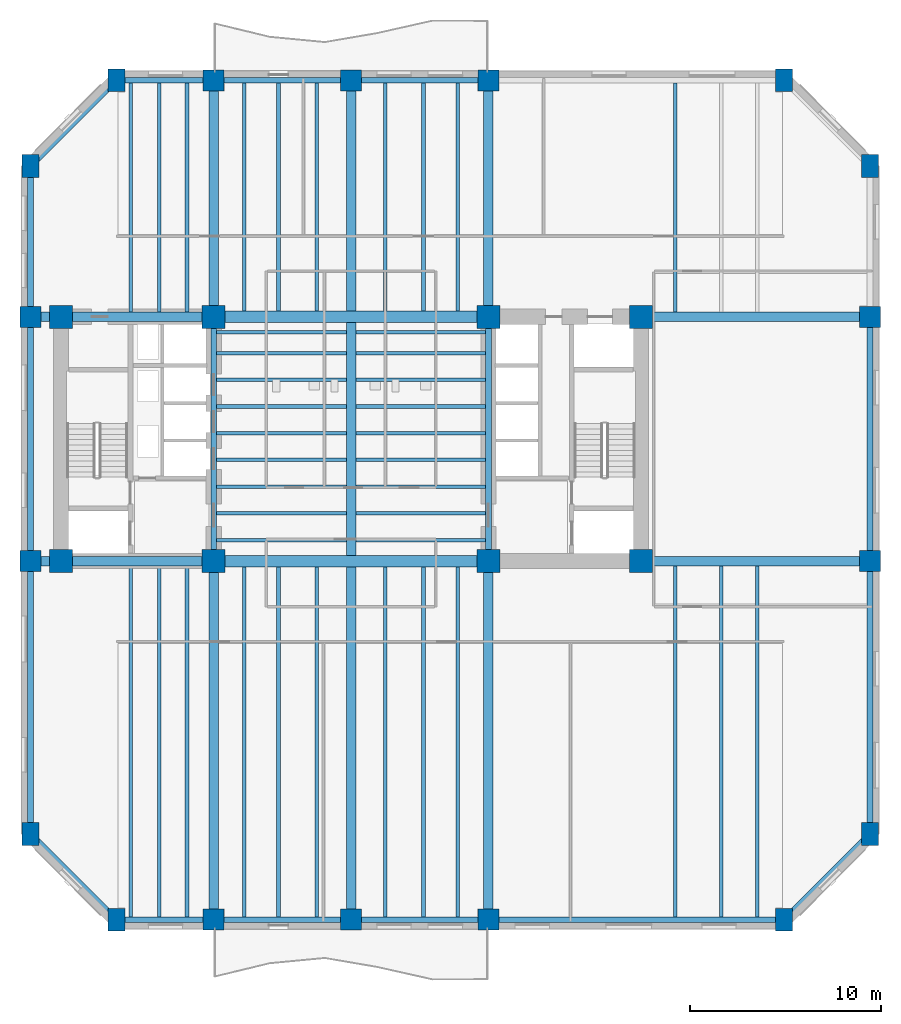
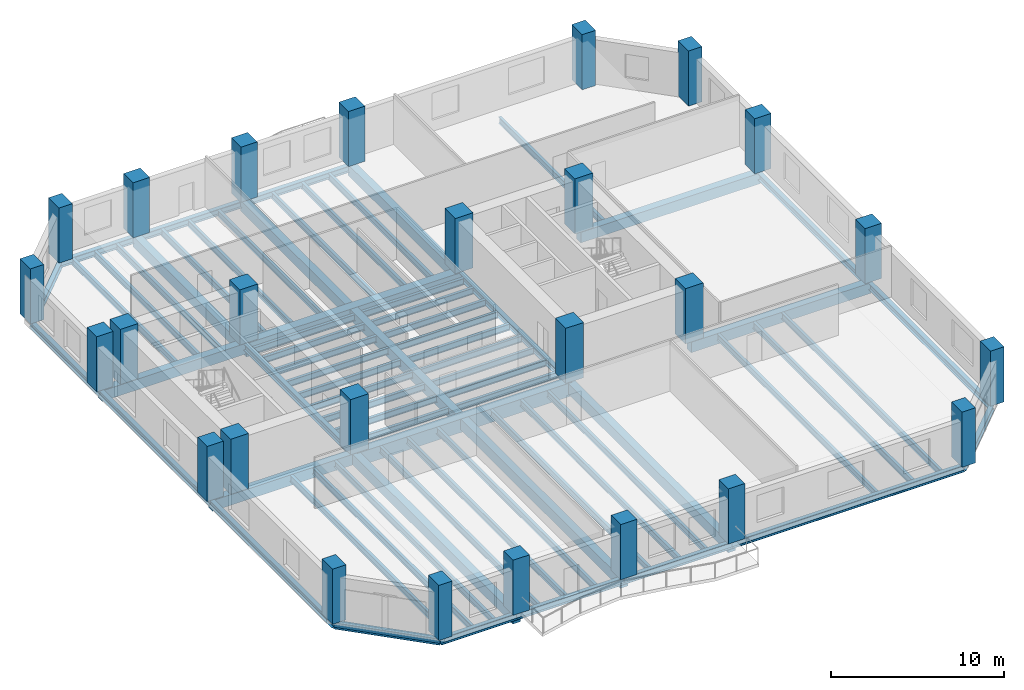
# One storey, part 1 of 9: 70 beams, 26 columns.
"""IFC4 building model written with IfcOpenShell, lengths in metres."""

import ifcopenshell
import ifcopenshell.guid

model = None  # the IFC model being written
_history = None  # IfcOwnerHistory: only IFC2X3 demands one
_inside = {}  # id of a spatial element -> (the spatial element, [elements in it])
_under = {}  # id of a project, library or spatial element -> (it, [spatial elements below it])
_declared = {}  # id of a project -> (the project, [libraries it declares])
_typed = {}  # id of a type object -> (the type object, [elements of that type])
_made_of = {}  # id of a material, layer set ... -> (it, [elements and type objects made of it])


def new_model(schema):
    """Start an empty IFC model of exactly this schema.

    Asked for "IFC4X3", IfcOpenShell would pick the latest addendum, in which some entities
    have other attributes; the version numbers below select the first issue.
    IFC2X3 requires an IfcOwnerHistory on every rooted entity: one is made here for all.
    """
    global model, _history
    if schema == "IFC4X3":
        model = ifcopenshell.file(schema_version=(4, 3, 0, 0))
    else:
        model = ifcopenshell.file(schema=schema)
    _inside.clear()
    _under.clear()
    _declared.clear()
    _typed.clear()
    _made_of.clear()
    _history = None
    if model.schema == "IFC2X3":
        org = make("IfcOrganization", Name="unknown")
        user = make(
            "IfcPersonAndOrganization",
            ThePerson=make("IfcPerson", FamilyName="unknown"),
            TheOrganization=org,
        )
        app = make(
            "IfcApplication",
            ApplicationDeveloper=org,
            Version="unknown",
            ApplicationFullName="unknown",
            ApplicationIdentifier="unknown",
        )
        _history = make(
            "IfcOwnerHistory",
            OwningUser=user,
            OwningApplication=app,
            ChangeAction="ADDED",
            CreationDate=0,
        )
    return model


def make(cls, **values):
    """One entity of the class cls with the attributes given. An attribute that is None is left unset."""
    return model.create_entity(
        cls, **{name: value for name, value in values.items() if value is not None}
    )


def rooted(cls, **values):
    """An entity with a GlobalId (a new one), such as an element, a storey or a relation."""
    return make(cls, GlobalId=ifcopenshell.guid.new(), OwnerHistory=_history, **values)


def si_unit(unit_type, name, prefix=None):
    """IfcSIUnit, for example si_unit("LENGTHUNIT", "METRE", prefix="MILLI")."""
    return make("IfcSIUnit", UnitType=unit_type, Prefix=prefix, Name=name)


def assignment(units):
    """IfcUnitAssignment: the units of a project."""
    return None if units is None else make("IfcUnitAssignment", Units=units)


def point(xyz):
    """IfcCartesianPoint."""
    return None if xyz is None else make("IfcCartesianPoint", Coordinates=xyz)


def direction(xyz):
    """IfcDirection."""
    return None if xyz is None else make("IfcDirection", DirectionRatios=xyz)


def frame(location, z_axis=None, x_axis=None):
    """IfcAxis2Placement3D, a coordinate frame: its origin and axes. An axis left out is left unset."""
    return make(
        "IfcAxis2Placement3D",
        Location=point(location),
        Axis=direction(z_axis),
        RefDirection=direction(x_axis),
    )


def frame_2d(location, x_axis=None):
    """IfcAxis2Placement2D, a coordinate frame in the plane: its origin and x axis."""
    return make(
        "IfcAxis2Placement2D", Location=point(location), RefDirection=direction(x_axis)
    )


def origin():
    """The frame at (0, 0, 0) with its axes left unset."""
    return frame((0.0, 0.0, 0.0))


def origin_2d():
    """The frame at (0, 0) in the plane with its x axis left unset."""
    return frame_2d((0.0, 0.0))


def place(relative_to, where):
    """IfcLocalPlacement: puts the frame where relative to a parent placement (None: the world)."""
    return make(
        "IfcLocalPlacement", PlacementRelTo=relative_to, RelativePlacement=where
    )


def context(
    kind, dimensions, precision=None, world=None, true_north=None, identifier=None
):
    """IfcGeometricRepresentationContext, for example the 3D "Model" context."""
    return make(
        "IfcGeometricRepresentationContext",
        ContextIdentifier=identifier,
        ContextType=kind,
        CoordinateSpaceDimension=dimensions,
        Precision=precision,
        WorldCoordinateSystem=world,
        TrueNorth=true_north,
    )


def subcontext(parent, identifier, kind, view, scale=None):
    """IfcGeometricRepresentationSubContext, for example "Body" below "Model"."""
    return make(
        "IfcGeometricRepresentationSubContext",
        ContextIdentifier=identifier,
        ContextType=kind,
        ParentContext=parent,
        TargetScale=scale,
        TargetView=view,
    )


def project(units=None, contexts=None):
    """IfcProject with its units and contexts."""
    return rooted(
        "IfcProject",
        Name="project",
        RepresentationContexts=contexts,
        UnitsInContext=assignment(units),
    )


def spatial(cls, under=None, at=None, **own):
    """A site, building, storey or space (cls), placed at a placement, below another one or the project."""
    s = rooted(cls, ObjectPlacement=at, **own)
    if under is not None:
        _under.setdefault(under.id(), (under, []))[1].append(s)
    return s


def profile(cls, at=None, kind="AREA", **sizes):
    """A parametric profile (cls). Its sizes go by their IFC names, for example OverallWidth=200.0."""
    return make(cls, ProfileType=kind, Position=at, **sizes)


def rectangle(**sizes):
    """IfcRectangleProfileDef."""
    return profile("IfcRectangleProfileDef", **sizes)


def i_section(**sizes):
    """IfcIShapeProfileDef."""
    return profile("IfcIShapeProfileDef", **sizes)


def extrude(swept, where, along, depth):
    """IfcExtrudedAreaSolid: the profile swept, set in the frame where, extruded along a direction by depth."""
    return make(
        "IfcExtrudedAreaSolid",
        SweptArea=swept,
        Position=where,
        ExtrudedDirection=direction(along),
        Depth=depth,
    )


def shape(context_of_items, identifier, shape_type, items):
    """IfcShapeRepresentation: the items that make up one representation, for example the "Body"."""
    return make(
        "IfcShapeRepresentation",
        ContextOfItems=context_of_items,
        RepresentationIdentifier=identifier,
        RepresentationType=shape_type,
        Items=items,
    )


def material(Name=None, Category=None):
    """IfcMaterial."""
    return make("IfcMaterial", Name=Name, Category=Category)


def material_profile(
    of_material, cross_section, Name=None, Category=None, Priority=None
):
    """IfcMaterialProfile: a cross section and its material."""
    return make(
        "IfcMaterialProfile",
        Name=Name,
        Material=of_material,
        Profile=cross_section,
        Priority=Priority,
        Category=Category,
    )


def profile_set(profiles, Name=None, composite=None):
    """IfcMaterialProfileSet."""
    return make(
        "IfcMaterialProfileSet",
        Name=Name,
        MaterialProfiles=profiles,
        CompositeProfile=composite,
    )


def made_of(thing, what):
    """Note that an element or type object is made of a material, layer set ...; save() writes the relation."""
    if what is not None:
        _made_of.setdefault(what.id(), (what, []))[1].append(thing)
    return thing


def type_object(cls, material=None, **own):
    """A type object (cls), such as IfcWallType, which elements share."""
    return made_of(rooted(cls, **own), material)


def element(
    cls,
    number,
    at=None,
    inside=None,
    cuts=None,
    type_object=None,
    material=None,
    context=None,
    identifier="Body",
    shape_type=None,
    held_by="IfcProductDefinitionShape",
    body=None,
    shapes=None,
    **own,
):
    """One element of the class cls, such as IfcWall. Its Tag is "e" and its number.

    at: its placement. inside: the storey or other place that contains it. cuts: it is an
    opening in that element (IfcRelVoidsElement). A single representation is given by context,
    identifier, shape_type and body (its items); several are given by shapes. held_by: the class
    of the entity that holds the representations. save() writes the other relations.
    """
    e = rooted(cls, Tag="e%d" % number, ObjectPlacement=at, **own)
    if body is not None:
        shapes = [shape(context, identifier, shape_type, body)]
    if shapes is not None:
        e.Representation = make(held_by, Representations=shapes)
    if inside is not None:
        _inside.setdefault(inside.id(), (inside, []))[1].append(e)
    if cuts is not None:
        rooted(
            "IfcRelVoidsElement", RelatingBuildingElement=cuts, RelatedOpeningElement=e
        )
    if type_object is not None:
        _typed.setdefault(type_object.id(), (type_object, []))[1].append(e)
    return made_of(e, material)


def aggregate(whole, parts):
    """IfcRelAggregates: a whole, such as a stair, and the parts it consists of."""
    return rooted("IfcRelAggregates", RelatingObject=whole, RelatedObjects=parts)


def save(model, path):
    """Write the relations noted so far, then the file.

    IfcRelAggregates (storeys below a building ...), IfcRelContainedInSpatialStructure (elements
    in a storey), IfcRelDefinesByType, IfcRelAssociatesMaterial and IfcRelDeclares: one each for
    every whole, place, type object, material and project.
    """
    for whole, parts in _under.values():
        aggregate(whole, parts)
    for where, things in _inside.values():
        rooted(
            "IfcRelContainedInSpatialStructure",
            RelatedElements=things,
            RelatingStructure=where,
        )
    for kind, things in _typed.values():
        rooted("IfcRelDefinesByType", RelatedObjects=things, RelatingType=kind)
    for what, things in _made_of.values():
        rooted("IfcRelAssociatesMaterial", RelatedObjects=things, RelatingMaterial=what)
    for by, libraries in _declared.values():
        rooted("IfcRelDeclares", RelatingContext=by, RelatedDefinitions=libraries)
    model.write(path)


model = new_model("IFC4")

# Units and contexts
model_context = context("Model", 3, precision=1e-05, world=origin(), true_north=direction((0.0, 1.0)))
body_context = subcontext(model_context, "Body", "Model", "MODEL_VIEW")
ifc_project = project(units=[si_unit("LENGTHUNIT", "METRE"), si_unit("AREAUNIT", "SQUARE_METRE"), si_unit("VOLUMEUNIT", "CUBIC_METRE"), si_unit("PLANEANGLEUNIT", "RADIAN"), si_unit("MASSUNIT", "GRAM", prefix="KILO")], contexts=[model_context])

# Site, building, storey
site_placement = place(None, origin())
site = spatial("IfcSite", under=ifc_project, at=site_placement, CompositionType="ELEMENT")
building_placement = place(site_placement, origin())
building = spatial("IfcBuilding", under=site, at=building_placement, Name="Kranthara Brick Stack", CompositionType="ELEMENT")
storey_placement = place(building_placement, frame((0.0, 0.0, 55.5)))
storey = spatial("IfcBuildingStorey", under=building, at=storey_placement, Name="L13", CompositionType="ELEMENT", Elevation=55.5)

# Columns
ifc_material_1 = material(Name="Concrete C70/85", Category="concrete")
ifc_material_profile_1 = material_profile(ifc_material_1, rectangle(XDim=0.89990234375, YDim=1.199951171875, at=origin_2d()), Name="RC 900x1200")
ifc_profile_set_1 = profile_set([ifc_material_profile_1], Name="Concrete C70/85")
column_type_1 = type_object("IfcColumnType", Name="COL-CHAM-900x1200", PredefinedType="COLUMN", material=ifc_profile_set_1)
for number, where, z_axis, x_axis, name in (
    (1, (15.699951171875, 2.0, 0.0), (0.0, 0.0, 1.0), (1.0, 0.0, 0.0), "L13 Column 09"),
    (2, (15.699951171875, 46.0, 0.0), (0.0, 0.0, 1.0), (1.0, 0.0, 0.0), "L13 Column 10"),
    (3, (50.699951171875, 2.0, 0.0), (0.0, 0.0, 1.0), (1.0, 0.0, 0.0), "L13 Column 17"),
    (4, (50.699951171875, 46.0, 0.0), (0.0, 0.0, 1.0), (1.0, 0.0, 0.0), "L13 Column 18"),
    (5, (11.199951171875, 6.5, 0.0), (0.0, 0.0, 1.0), (1.0, 0.0, 0.0), "L13 Column 19"),
    (6, (55.199951171875, 6.5, 0.0), (0.0, 0.0, 1.0), (1.0, 0.0, 0.0), "L13 Column 20"),
    (7, (11.199951171875, 41.5, 0.0), (0.0, 0.0, 1.0), (1.0, 0.0, 0.0), "L13 Column 25"),
    (8, (55.199951171875, 41.5, 0.0), (0.0, 0.0, 1.0), (1.0, 0.0, 0.0), "L13 Column 26"),
):
    element("IfcColumn", number, at=place(storey_placement, frame(where, z_axis=z_axis, x_axis=x_axis)), inside=storey, type_object=column_type_1, Name=name, PredefinedType="COLUMN", context=body_context, shape_type="SweptSolid", body=[
        extrude(rectangle(XDim=0.89990234375, YDim=1.199951171875, at=origin_2d()), origin(), (0.0, 0.0, 1.0), 3.89990234375),
    ])
ifc_material_2 = material(Name="Concrete C70/85", Category="concrete")
ifc_material_profile_2 = material_profile(ifc_material_2, rectangle(XDim=1.199951171875, YDim=1.199951171875, at=origin_2d()), Name="RC 1200x1200")
ifc_profile_set_2 = profile_set([ifc_material_profile_2], Name="Concrete C70/85")
column_type_2 = type_object("IfcColumnType", Name="COL-CORE-1200", PredefinedType="COLUMN", material=ifc_profile_set_2)
for number, where, z_axis, x_axis, name in (
    (9, (12.800048828125, 20.800048828125, 0.0), (0.0, 0.0, 1.0), (1.0, 0.0, 0.0), "L13 Column 01"),
    (10, (20.800048828125, 20.800048828125, 0.0), (0.0, 0.0, 1.0), (1.0, 0.0, 0.0), "L13 Column 02"),
    (11, (12.800048828125, 33.60009765625, 0.0), (0.0, 0.0, 1.0), (1.0, 0.0, 0.0), "L13 Column 03"),
    (12, (20.800048828125, 33.60009765625, 0.0), (0.0, 0.0, 1.0), (1.0, 0.0, 0.0), "L13 Column 04"),
    (13, (35.199951171875, 20.800048828125, 0.0), (0.0, 0.0, 1.0), (1.0, 0.0, 0.0), "L13 Column 05"),
    (14, (43.199951171875, 20.800048828125, 0.0), (0.0, 0.0, 1.0), (1.0, 0.0, 0.0), "L13 Column 06"),
    (15, (35.199951171875, 33.60009765625, 0.0), (0.0, 0.0, 1.0), (1.0, 0.0, 0.0), "L13 Column 07"),
    (16, (43.199951171875, 33.60009765625, 0.0), (0.0, 0.0, 1.0), (1.0, 0.0, 0.0), "L13 Column 08"),
):
    element("IfcColumn", number, at=place(storey_placement, frame(where, z_axis=z_axis, x_axis=x_axis)), inside=storey, type_object=column_type_2, Name=name, PredefinedType="COLUMN", context=body_context, shape_type="SweptSolid", body=[
        extrude(rectangle(XDim=1.199951171875, YDim=1.199951171875, at=origin_2d()), origin(), (0.0, 0.0, 1.0), 3.89990234375),
    ])
ifc_material_3 = material(Name="Concrete C70/85", Category="concrete")
ifc_material_profile_3 = material_profile(ifc_material_3, rectangle(XDim=1.10009765625, YDim=1.10009765625, at=origin_2d()), Name="RC 1100x1100")
ifc_profile_set_3 = profile_set([ifc_material_profile_3], Name="Concrete C70/85")
column_type_3 = type_object("IfcColumnType", Name="COL-PER-1100", PredefinedType="COLUMN", material=ifc_profile_set_3)
for number, where, z_axis, x_axis, name in (
    (17, (20.800048828125, 2.0, 0.0), (0.0, 0.0, 1.0), (1.0, 0.0, 0.0), "L13 Column 11"),
    (18, (20.800048828125, 46.0, 0.0), (0.0, 0.0, 1.0), (1.0, 0.0, 0.0), "L13 Column 12"),
    (19, (28.0, 2.0, 0.0), (0.0, 0.0, 1.0), (1.0, 0.0, 0.0), "L13 Column 13"),
    (20, (28.0, 46.0, 0.0), (0.0, 0.0, 1.0), (1.0, 0.0, 0.0), "L13 Column 14"),
    (21, (35.199951171875, 2.0, 0.0), (0.0, 0.0, 1.0), (1.0, 0.0, 0.0), "L13 Column 15"),
    (22, (35.199951171875, 46.0, 0.0), (0.0, 0.0, 1.0), (1.0, 0.0, 0.0), "L13 Column 16"),
    (23, (11.199951171875, 20.800048828125, 0.0), (0.0, 0.0, 1.0), (1.0, 0.0, 0.0), "L13 Column 21"),
    (24, (55.199951171875, 20.800048828125, 0.0), (0.0, 0.0, 1.0), (1.0, 0.0, 0.0), "L13 Column 22"),
    (25, (11.199951171875, 33.60009765625, 0.0), (0.0, 0.0, 1.0), (1.0, 0.0, 0.0), "L13 Column 23"),
    (26, (55.199951171875, 33.60009765625, 0.0), (0.0, 0.0, 1.0), (1.0, 0.0, 0.0), "L13 Column 24"),
):
    element("IfcColumn", number, at=place(storey_placement, frame(where, z_axis=z_axis, x_axis=x_axis)), inside=storey, type_object=column_type_3, Name=name, PredefinedType="COLUMN", context=body_context, shape_type="SweptSolid", body=[
        extrude(rectangle(XDim=1.10009765625, YDim=1.10009765625, at=origin_2d()), origin(), (0.0, 0.0, 1.0), 3.89990234375),
    ])

# Beams
ifc_material_4 = material(Name="Concrete C60/75", Category="concrete")
ifc_material_profile_4 = material_profile(ifc_material_4, rectangle(XDim=0.60009765625, YDim=0.949951171875, at=origin_2d()), Name="RC 600x950")
ifc_profile_set_4 = profile_set([ifc_material_profile_4], Name="Concrete C60/75")
beam_type_1 = type_object("IfcBeamType", Name="BM-CPL-RC950", PredefinedType="LINTEL", material=ifc_profile_set_4)
for number, where, z_axis, x_axis, name in (
    (27, (20.800048828125, 20.800048828125, -0.77490234375), (1.0, 0.0, 0.0), (0.0, 1.0, 0.0), "L13 Core Coupling Beam 001"),
    (28, (20.800048828125, 33.60009765625, -0.77490234375), (1.0, 0.0, 0.0), (0.0, 1.0, 0.0), "L13 Core Coupling Beam 002"),
):
    element("IfcBeam", number, at=place(storey_placement, frame(where, z_axis=z_axis, x_axis=x_axis)), inside=storey, type_object=beam_type_1, Name=name, PredefinedType="LINTEL", context=body_context, shape_type="SweptSolid", body=[
        extrude(rectangle(XDim=0.60009765625, YDim=0.949951171875, at=origin_2d()), origin(), (0.0, 0.0, 1.0), 14.39990234375),
    ])
ifc_material_5 = material(Name="Post-tensioned concrete C45/55", Category="concrete")
ifc_material_profile_5 = material_profile(ifc_material_5, rectangle(XDim=0.5, YDim=0.75, at=origin_2d()), Name="PT 500x750")
ifc_profile_set_5 = profile_set([ifc_material_profile_5], Name="Post-tensioned concrete C45/55")
beam_type_2 = type_object("IfcBeamType", Name="BM-FLR-PT750", PredefinedType="BEAM", material=ifc_profile_set_5)
beam_1_placement = place(storey_placement, frame((20.800048828125, 2.0, -0.675048828125), z_axis=(0.0, 1.0, 0.0), x_axis=(-1.0, 0.0, 0.0)))
element("IfcBeam", 29, at=beam_1_placement, inside=storey, type_object=beam_type_2, Name="L13 Primary Grid Girder 023", PredefinedType="BEAM", context=body_context, shape_type="SweptSolid", body=[
    extrude(rectangle(XDim=0.5, YDim=0.75, at=origin_2d()), origin(), (0.0, 0.0, 1.0), 18.800048828125),
])
beam_2_placement = place(storey_placement, frame((20.800048828125, 33.60009765625, -0.675048828125), z_axis=(0.0, 1.0, 0.0), x_axis=(-1.0, 0.0, 0.0)))
element("IfcBeam", 30, at=beam_2_placement, inside=storey, type_object=beam_type_2, Name="L13 Primary Grid Girder 024", PredefinedType="BEAM", context=body_context, shape_type="SweptSolid", body=[
    extrude(rectangle(XDim=0.5, YDim=0.75, at=origin_2d()), origin(), (0.0, 0.0, 1.0), 12.39990234375),
])
beam_3_placement = place(storey_placement, frame((28.0, 2.0, -0.675048828125), z_axis=(0.0, 1.0, 0.0), x_axis=(-1.0, 0.0, 0.0)))
element("IfcBeam", 31, at=beam_3_placement, inside=storey, type_object=beam_type_2, Name="L13 Primary Grid Girder 025", PredefinedType="BEAM", context=body_context, shape_type="SweptSolid", body=[
    extrude(rectangle(XDim=0.5, YDim=0.75, at=origin_2d()), origin(), (0.0, 0.0, 1.0), 18.5),
])
beam_4_placement = place(storey_placement, frame((28.0, 21.10009765625, -0.675048828125), z_axis=(0.0, 1.0, 0.0), x_axis=(-1.0, 0.0, 0.0)))
element("IfcBeam", 32, at=beam_4_placement, inside=storey, type_object=beam_type_2, Name="L13 Central Spine Girder 026", PredefinedType="BEAM", context=body_context, shape_type="SweptSolid", body=[
    extrude(rectangle(XDim=0.5, YDim=0.75, at=origin_2d()), origin(), (0.0, 0.0, 1.0), 12.199951171875),
])
beam_5_placement = place(storey_placement, frame((28.0, 33.89990234375, -0.675048828125), z_axis=(0.0, 1.0, 0.0), x_axis=(-1.0, 0.0, 0.0)))
element("IfcBeam", 33, at=beam_5_placement, inside=storey, type_object=beam_type_2, Name="L13 Primary Grid Girder 027", PredefinedType="BEAM", context=body_context, shape_type="SweptSolid", body=[
    extrude(rectangle(XDim=0.5, YDim=0.75, at=origin_2d()), origin(), (0.0, 0.0, 1.0), 12.10009765625),
])
beam_6_placement = place(storey_placement, frame((35.199951171875, 2.0, -0.675048828125), z_axis=(0.0, 1.0, 0.0), x_axis=(-1.0, 0.0, 0.0)))
element("IfcBeam", 34, at=beam_6_placement, inside=storey, type_object=beam_type_2, Name="L13 Primary Grid Girder 028", PredefinedType="BEAM", context=body_context, shape_type="SweptSolid", body=[
    extrude(rectangle(XDim=0.5, YDim=0.75, at=origin_2d()), origin(), (0.0, 0.0, 1.0), 18.800048828125),
])
beam_7_placement = place(storey_placement, frame((35.199951171875, 33.60009765625, -0.675048828125), z_axis=(0.0, 1.0, 0.0), x_axis=(-1.0, 0.0, 0.0)))
element("IfcBeam", 35, at=beam_7_placement, inside=storey, type_object=beam_type_2, Name="L13 Primary Grid Girder 029", PredefinedType="BEAM", context=body_context, shape_type="SweptSolid", body=[
    extrude(rectangle(XDim=0.5, YDim=0.75, at=origin_2d()), origin(), (0.0, 0.0, 1.0), 12.39990234375),
])
beam_8_placement = place(storey_placement, frame((11.199951171875, 20.800048828125, -0.675048828125), z_axis=(1.0, 0.0, 0.0), x_axis=(0.0, 1.0, 0.0)))
element("IfcBeam", 36, at=beam_8_placement, inside=storey, type_object=beam_type_2, Name="L13 Primary Grid Girder 030", PredefinedType="BEAM", context=body_context, shape_type="SweptSolid", body=[
    extrude(rectangle(XDim=0.5, YDim=0.75, at=origin_2d()), origin(), (0.0, 0.0, 1.0), 9.60009765625),
])
beam_9_placement = place(storey_placement, frame((43.199951171875, 20.800048828125, -0.675048828125), z_axis=(1.0, 0.0, 0.0), x_axis=(0.0, 1.0, 0.0)))
element("IfcBeam", 37, at=beam_9_placement, inside=storey, type_object=beam_type_2, Name="L13 Primary Grid Girder 031", PredefinedType="BEAM", context=body_context, shape_type="SweptSolid", body=[
    extrude(rectangle(XDim=0.5, YDim=0.75, at=origin_2d()), origin(), (0.0, 0.0, 1.0), 12.0),
])
beam_10_placement = place(storey_placement, frame((11.199951171875, 33.60009765625, -0.675048828125), z_axis=(1.0, 0.0, 0.0), x_axis=(0.0, 1.0, 0.0)))
element("IfcBeam", 38, at=beam_10_placement, inside=storey, type_object=beam_type_2, Name="L13 Primary Grid Girder 032", PredefinedType="BEAM", context=body_context, shape_type="SweptSolid", body=[
    extrude(rectangle(XDim=0.5, YDim=0.75, at=origin_2d()), origin(), (0.0, 0.0, 1.0), 9.60009765625),
])
beam_11_placement = place(storey_placement, frame((43.199951171875, 33.60009765625, -0.675048828125), z_axis=(1.0, 0.0, 0.0), x_axis=(0.0, 1.0, 0.0)))
element("IfcBeam", 39, at=beam_11_placement, inside=storey, type_object=beam_type_2, Name="L13 Primary Grid Girder 033", PredefinedType="BEAM", context=body_context, shape_type="SweptSolid", body=[
    extrude(rectangle(XDim=0.5, YDim=0.75, at=origin_2d()), origin(), (0.0, 0.0, 1.0), 12.0),
])
ifc_material_6 = material(Name="Steel S355", Category="steel")
ifc_material_profile_6 = material_profile(ifc_material_6, i_section(OverallWidth=0.18994140625, OverallDepth=0.449951171875, WebThickness=0.009521484375, FlangeThickness=0.0146484375, at=origin_2d()), Name="IPE 450")
ifc_profile_set_6 = profile_set([ifc_material_profile_6], Name="Steel S355")
beam_type_3 = type_object("IfcBeamType", Name="BM-JST-IPE450", PredefinedType="JOIST", material=ifc_profile_set_6)
for number, where, z_axis, x_axis, name in (
    (40, (20.949951171875, 21.89990234375, -0.52490234375), (1.0, 0.0, 0.0), (0.0, 1.0, 0.0), "L13 Central Floor Joist 034"),
    (41, (28.25, 21.89990234375, -0.52490234375), (1.0, 0.0, 0.0), (0.0, 1.0, 0.0), "L13 Central Floor Joist 035"),
    (42, (20.949951171875, 23.300048828125, -0.52490234375), (1.0, 0.0, 0.0), (0.0, 1.0, 0.0), "L13 Central Floor Joist 036"),
    (43, (28.25, 23.300048828125, -0.52490234375), (1.0, 0.0, 0.0), (0.0, 1.0, 0.0), "L13 Central Floor Joist 037"),
    (44, (20.949951171875, 24.699951171875, -0.52490234375), (1.0, 0.0, 0.0), (0.0, 1.0, 0.0), "L13 Central Floor Joist 038"),
    (45, (28.25, 24.699951171875, -0.52490234375), (1.0, 0.0, 0.0), (0.0, 1.0, 0.0), "L13 Central Floor Joist 039"),
    (46, (20.949951171875, 26.10009765625, -0.52490234375), (1.0, 0.0, 0.0), (0.0, 1.0, 0.0), "L13 Central Floor Joist 040"),
    (47, (28.25, 26.10009765625, -0.52490234375), (1.0, 0.0, 0.0), (0.0, 1.0, 0.0), "L13 Central Floor Joist 041"),
    (48, (20.949951171875, 27.5, -0.52490234375), (1.0, 0.0, 0.0), (0.0, 1.0, 0.0), "L13 Central Floor Joist 042"),
    (49, (28.25, 27.5, -0.52490234375), (1.0, 0.0, 0.0), (0.0, 1.0, 0.0), "L13 Central Floor Joist 043"),
    (50, (20.949951171875, 28.89990234375, -0.52490234375), (1.0, 0.0, 0.0), (0.0, 1.0, 0.0), "L13 Central Floor Joist 044"),
    (51, (28.25, 28.89990234375, -0.52490234375), (1.0, 0.0, 0.0), (0.0, 1.0, 0.0), "L13 Central Floor Joist 045"),
    (52, (20.949951171875, 30.300048828125, -0.52490234375), (1.0, 0.0, 0.0), (0.0, 1.0, 0.0), "L13 Central Floor Joist 046"),
    (53, (28.25, 30.300048828125, -0.52490234375), (1.0, 0.0, 0.0), (0.0, 1.0, 0.0), "L13 Central Floor Joist 047"),
    (54, (20.949951171875, 31.699951171875, -0.52490234375), (1.0, 0.0, 0.0), (0.0, 1.0, 0.0), "L13 Central Floor Joist 048"),
    (55, (28.25, 31.699951171875, -0.52490234375), (1.0, 0.0, 0.0), (0.0, 1.0, 0.0), "L13 Central Floor Joist 049"),
    (56, (20.949951171875, 32.800048828125, -0.52490234375), (1.0, 0.0, 0.0), (0.0, 1.0, 0.0), "L13 Central Floor Joist 050"),
    (57, (28.25, 32.800048828125, -0.52490234375), (1.0, 0.0, 0.0), (0.0, 1.0, 0.0), "L13 Central Floor Joist 051"),
):
    element("IfcBeam", number, at=place(storey_placement, frame(where, z_axis=z_axis, x_axis=x_axis)), inside=storey, type_object=beam_type_3, Name=name, PredefinedType="JOIST", context=body_context, shape_type="SweptSolid", body=[
        extrude(i_section(OverallWidth=0.18994140625, OverallDepth=0.449951171875, WebThickness=0.009521484375, FlangeThickness=0.0146484375, at=origin_2d()), origin(), (0.0, 0.0, 1.0), 6.800048828125),
    ])
beam_12_placement = place(storey_placement, frame((16.449951171875, 2.14990234375, -0.52490234375), z_axis=(0.0, 1.0, 0.0), x_axis=(-1.0, 0.0, 0.0)))
element("IfcBeam", 58, at=beam_12_placement, inside=storey, type_object=beam_type_3, Name="L13 South Wing Floor Joist 052", PredefinedType="JOIST", context=body_context, shape_type="SweptSolid", body=[
    extrude(i_section(OverallWidth=0.18994140625, OverallDepth=0.449951171875, WebThickness=0.009521484375, FlangeThickness=0.0146484375, at=origin_2d()), origin(), (0.0, 0.0, 1.0), 18.400146484375),
])
beam_13_placement = place(storey_placement, frame((16.449951171875, 33.85009765625, -0.52490234375), z_axis=(0.0, 1.0, 0.0), x_axis=(-1.0, 0.0, 0.0)))
element("IfcBeam", 59, at=beam_13_placement, inside=storey, type_object=beam_type_3, Name="L13 North Wing Floor Joist 053", PredefinedType="JOIST", context=body_context, shape_type="SweptSolid", body=[
    extrude(i_section(OverallWidth=0.18994140625, OverallDepth=0.449951171875, WebThickness=0.009521484375, FlangeThickness=0.0146484375, at=origin_2d()), origin(), (0.0, 0.0, 1.0), 12.0),
])
beam_14_placement = place(storey_placement, frame((17.949951171875, 2.14990234375, -0.52490234375), z_axis=(0.0, 1.0, 0.0), x_axis=(-1.0, 0.0, 0.0)))
element("IfcBeam", 60, at=beam_14_placement, inside=storey, type_object=beam_type_3, Name="L13 South Wing Floor Joist 054", PredefinedType="JOIST", context=body_context, shape_type="SweptSolid", body=[
    extrude(i_section(OverallWidth=0.18994140625, OverallDepth=0.449951171875, WebThickness=0.009521484375, FlangeThickness=0.0146484375, at=origin_2d()), origin(), (0.0, 0.0, 1.0), 18.400146484375),
])
beam_15_placement = place(storey_placement, frame((17.949951171875, 33.85009765625, -0.52490234375), z_axis=(0.0, 1.0, 0.0), x_axis=(-1.0, 0.0, 0.0)))
element("IfcBeam", 61, at=beam_15_placement, inside=storey, type_object=beam_type_3, Name="L13 North Wing Floor Joist 055", PredefinedType="JOIST", context=body_context, shape_type="SweptSolid", body=[
    extrude(i_section(OverallWidth=0.18994140625, OverallDepth=0.449951171875, WebThickness=0.009521484375, FlangeThickness=0.0146484375, at=origin_2d()), origin(), (0.0, 0.0, 1.0), 12.0),
])
beam_16_placement = place(storey_placement, frame((19.39990234375, 2.14990234375, -0.52490234375), z_axis=(0.0, 1.0, 0.0), x_axis=(-1.0, 0.0, 0.0)))
element("IfcBeam", 62, at=beam_16_placement, inside=storey, type_object=beam_type_3, Name="L13 South Wing Floor Joist 056", PredefinedType="JOIST", context=body_context, shape_type="SweptSolid", body=[
    extrude(i_section(OverallWidth=0.18994140625, OverallDepth=0.449951171875, WebThickness=0.009521484375, FlangeThickness=0.0146484375, at=origin_2d()), origin(), (0.0, 0.0, 1.0), 18.400146484375),
])
beam_17_placement = place(storey_placement, frame((19.39990234375, 33.85009765625, -0.52490234375), z_axis=(0.0, 1.0, 0.0), x_axis=(-1.0, 0.0, 0.0)))
element("IfcBeam", 63, at=beam_17_placement, inside=storey, type_object=beam_type_3, Name="L13 North Wing Floor Joist 057", PredefinedType="JOIST", context=body_context, shape_type="SweptSolid", body=[
    extrude(i_section(OverallWidth=0.18994140625, OverallDepth=0.449951171875, WebThickness=0.009521484375, FlangeThickness=0.0146484375, at=origin_2d()), origin(), (0.0, 0.0, 1.0), 12.0),
])
beam_18_placement = place(storey_placement, frame((22.39990234375, 2.14990234375, -0.52490234375), z_axis=(0.0, 1.0, 0.0), x_axis=(-1.0, 0.0, 0.0)))
element("IfcBeam", 64, at=beam_18_placement, inside=storey, type_object=beam_type_3, Name="L13 South Wing Floor Joist 058", PredefinedType="JOIST", context=body_context, shape_type="SweptSolid", body=[
    extrude(i_section(OverallWidth=0.18994140625, OverallDepth=0.449951171875, WebThickness=0.009521484375, FlangeThickness=0.0146484375, at=origin_2d()), origin(), (0.0, 0.0, 1.0), 18.35009765625),
])
beam_19_placement = place(storey_placement, frame((22.39990234375, 33.89990234375, -0.52490234375), z_axis=(0.0, 1.0, 0.0), x_axis=(-1.0, 0.0, 0.0)))
element("IfcBeam", 65, at=beam_19_placement, inside=storey, type_object=beam_type_3, Name="L13 North Wing Floor Joist 059", PredefinedType="JOIST", context=body_context, shape_type="SweptSolid", body=[
    extrude(i_section(OverallWidth=0.18994140625, OverallDepth=0.449951171875, WebThickness=0.009521484375, FlangeThickness=0.0146484375, at=origin_2d()), origin(), (0.0, 0.0, 1.0), 11.9501953125),
])
beam_20_placement = place(storey_placement, frame((24.199951171875, 2.14990234375, -0.52490234375), z_axis=(0.0, 1.0, 0.0), x_axis=(-1.0, 0.0, 0.0)))
element("IfcBeam", 66, at=beam_20_placement, inside=storey, type_object=beam_type_3, Name="L13 South Wing Floor Joist 060", PredefinedType="JOIST", context=body_context, shape_type="SweptSolid", body=[
    extrude(i_section(OverallWidth=0.18994140625, OverallDepth=0.449951171875, WebThickness=0.009521484375, FlangeThickness=0.0146484375, at=origin_2d()), origin(), (0.0, 0.0, 1.0), 18.35009765625),
])
beam_21_placement = place(storey_placement, frame((24.199951171875, 33.89990234375, -0.52490234375), z_axis=(0.0, 1.0, 0.0), x_axis=(-1.0, 0.0, 0.0)))
element("IfcBeam", 67, at=beam_21_placement, inside=storey, type_object=beam_type_3, Name="L13 North Wing Floor Joist 061", PredefinedType="JOIST", context=body_context, shape_type="SweptSolid", body=[
    extrude(i_section(OverallWidth=0.18994140625, OverallDepth=0.449951171875, WebThickness=0.009521484375, FlangeThickness=0.0146484375, at=origin_2d()), origin(), (0.0, 0.0, 1.0), 11.9501953125),
])
beam_22_placement = place(storey_placement, frame((26.199951171875, 2.14990234375, -0.52490234375), z_axis=(0.0, 1.0, 0.0), x_axis=(-1.0, 0.0, 0.0)))
element("IfcBeam", 68, at=beam_22_placement, inside=storey, type_object=beam_type_3, Name="L13 South Wing Floor Joist 062", PredefinedType="JOIST", context=body_context, shape_type="SweptSolid", body=[
    extrude(i_section(OverallWidth=0.18994140625, OverallDepth=0.449951171875, WebThickness=0.009521484375, FlangeThickness=0.0146484375, at=origin_2d()), origin(), (0.0, 0.0, 1.0), 18.35009765625),
])
beam_23_placement = place(storey_placement, frame((26.199951171875, 33.89990234375, -0.52490234375), z_axis=(0.0, 1.0, 0.0), x_axis=(-1.0, 0.0, 0.0)))
element("IfcBeam", 69, at=beam_23_placement, inside=storey, type_object=beam_type_3, Name="L13 North Wing Floor Joist 063", PredefinedType="JOIST", context=body_context, shape_type="SweptSolid", body=[
    extrude(i_section(OverallWidth=0.18994140625, OverallDepth=0.449951171875, WebThickness=0.009521484375, FlangeThickness=0.0146484375, at=origin_2d()), origin(), (0.0, 0.0, 1.0), 11.9501953125),
])
beam_24_placement = place(storey_placement, frame((29.800048828125, 2.14990234375, -0.52490234375), z_axis=(0.0, 1.0, 0.0), x_axis=(-1.0, 0.0, 0.0)))
element("IfcBeam", 70, at=beam_24_placement, inside=storey, type_object=beam_type_3, Name="L13 South Wing Floor Joist 064", PredefinedType="JOIST", context=body_context, shape_type="SweptSolid", body=[
    extrude(i_section(OverallWidth=0.18994140625, OverallDepth=0.449951171875, WebThickness=0.009521484375, FlangeThickness=0.0146484375, at=origin_2d()), origin(), (0.0, 0.0, 1.0), 18.35009765625),
])
beam_25_placement = place(storey_placement, frame((29.800048828125, 33.89990234375, -0.52490234375), z_axis=(0.0, 1.0, 0.0), x_axis=(-1.0, 0.0, 0.0)))
element("IfcBeam", 71, at=beam_25_placement, inside=storey, type_object=beam_type_3, Name="L13 North Wing Floor Joist 065", PredefinedType="JOIST", context=body_context, shape_type="SweptSolid", body=[
    extrude(i_section(OverallWidth=0.18994140625, OverallDepth=0.449951171875, WebThickness=0.009521484375, FlangeThickness=0.0146484375, at=origin_2d()), origin(), (0.0, 0.0, 1.0), 11.9501953125),
])
beam_26_placement = place(storey_placement, frame((31.800048828125, 2.14990234375, -0.52490234375), z_axis=(0.0, 1.0, 0.0), x_axis=(-1.0, 0.0, 0.0)))
element("IfcBeam", 72, at=beam_26_placement, inside=storey, type_object=beam_type_3, Name="L13 South Wing Floor Joist 066", PredefinedType="JOIST", context=body_context, shape_type="SweptSolid", body=[
    extrude(i_section(OverallWidth=0.18994140625, OverallDepth=0.449951171875, WebThickness=0.009521484375, FlangeThickness=0.0146484375, at=origin_2d()), origin(), (0.0, 0.0, 1.0), 18.35009765625),
])
beam_27_placement = place(storey_placement, frame((31.800048828125, 33.89990234375, -0.52490234375), z_axis=(0.0, 1.0, 0.0), x_axis=(-1.0, 0.0, 0.0)))
element("IfcBeam", 73, at=beam_27_placement, inside=storey, type_object=beam_type_3, Name="L13 North Wing Floor Joist 067", PredefinedType="JOIST", context=body_context, shape_type="SweptSolid", body=[
    extrude(i_section(OverallWidth=0.18994140625, OverallDepth=0.449951171875, WebThickness=0.009521484375, FlangeThickness=0.0146484375, at=origin_2d()), origin(), (0.0, 0.0, 1.0), 11.9501953125),
])
beam_28_placement = place(storey_placement, frame((33.60009765625, 2.14990234375, -0.52490234375), z_axis=(0.0, 1.0, 0.0), x_axis=(-1.0, 0.0, 0.0)))
element("IfcBeam", 74, at=beam_28_placement, inside=storey, type_object=beam_type_3, Name="L13 South Wing Floor Joist 068", PredefinedType="JOIST", context=body_context, shape_type="SweptSolid", body=[
    extrude(i_section(OverallWidth=0.18994140625, OverallDepth=0.449951171875, WebThickness=0.009521484375, FlangeThickness=0.0146484375, at=origin_2d()), origin(), (0.0, 0.0, 1.0), 18.35009765625),
])
beam_29_placement = place(storey_placement, frame((33.60009765625, 33.89990234375, -0.52490234375), z_axis=(0.0, 1.0, 0.0), x_axis=(-1.0, 0.0, 0.0)))
element("IfcBeam", 75, at=beam_29_placement, inside=storey, type_object=beam_type_3, Name="L13 North Wing Floor Joist 069", PredefinedType="JOIST", context=body_context, shape_type="SweptSolid", body=[
    extrude(i_section(OverallWidth=0.18994140625, OverallDepth=0.449951171875, WebThickness=0.009521484375, FlangeThickness=0.0146484375, at=origin_2d()), origin(), (0.0, 0.0, 1.0), 11.9501953125),
])
beam_30_placement = place(storey_placement, frame((45.0, 2.14990234375, -0.52490234375), z_axis=(0.0, 1.0, 0.0), x_axis=(-1.0, 0.0, 0.0)))
element("IfcBeam", 76, at=beam_30_placement, inside=storey, type_object=beam_type_3, Name="L13 South Wing Floor Joist 070", PredefinedType="JOIST", context=body_context, shape_type="SweptSolid", body=[
    extrude(i_section(OverallWidth=0.18994140625, OverallDepth=0.449951171875, WebThickness=0.009521484375, FlangeThickness=0.0146484375, at=origin_2d()), origin(), (0.0, 0.0, 1.0), 18.400146484375),
])
beam_31_placement = place(storey_placement, frame((45.0, 33.85009765625, -0.52490234375), z_axis=(0.0, 1.0, 0.0), x_axis=(-1.0, 0.0, 0.0)))
element("IfcBeam", 77, at=beam_31_placement, inside=storey, type_object=beam_type_3, Name="L13 North Wing Floor Joist 071", PredefinedType="JOIST", context=body_context, shape_type="SweptSolid", body=[
    extrude(i_section(OverallWidth=0.18994140625, OverallDepth=0.449951171875, WebThickness=0.009521484375, FlangeThickness=0.0146484375, at=origin_2d()), origin(), (0.0, 0.0, 1.0), 12.0),
])
for number, where, z_axis, x_axis, name in (
    (78, (47.39990234375, 2.14990234375, -0.52490234375), (0.0, 1.0, 0.0), (-1.0, 0.0, 0.0), "L13 South Wing Floor Joist 072"),
    (79, (49.300048828125, 2.14990234375, -0.52490234375), (0.0, 1.0, 0.0), (-1.0, 0.0, 0.0), "L13 South Wing Floor Joist 074"),
):
    element("IfcBeam", number, at=place(storey_placement, frame(where, z_axis=z_axis, x_axis=x_axis)), inside=storey, type_object=beam_type_3, Name=name, PredefinedType="JOIST", context=body_context, shape_type="SweptSolid", body=[
        extrude(i_section(OverallWidth=0.18994140625, OverallDepth=0.449951171875, WebThickness=0.009521484375, FlangeThickness=0.0146484375, at=origin_2d()), origin(), (0.0, 0.0, 1.0), 18.400146484375),
    ])
ifc_material_7 = material(Name="Steel S355", Category="steel")
ifc_material_profile_7 = material_profile(ifc_material_7, i_section(OverallWidth=0.300048828125, OverallDepth=0.449951171875, WebThickness=0.013916015625, FlangeThickness=0.02587890625, at=origin_2d()), Name="HEB 450")
ifc_profile_set_7 = profile_set([ifc_material_profile_7], Name="Steel S355")
beam_type_4 = type_object("IfcBeamType", Name="BM-STL-HEB450", PredefinedType="SPANDREL", material=ifc_profile_set_7)
for number, where, z_axis, x_axis, name in (
    (80, (20.800048828125, 20.800048828125, -0.52490234375), (0.0, 1.0, 0.0), (-1.0, 0.0, 0.0), "L13 Core Edge Tie Beam 003"),
    (81, (35.199951171875, 20.800048828125, -0.52490234375), (0.0, 1.0, 0.0), (-1.0, 0.0, 0.0), "L13 Core Edge Tie Beam 004"),
):
    element("IfcBeam", number, at=place(storey_placement, frame(where, z_axis=z_axis, x_axis=x_axis)), inside=storey, type_object=beam_type_4, Name=name, PredefinedType="SPANDREL", context=body_context, shape_type="SweptSolid", body=[
        extrude(i_section(OverallWidth=0.300048828125, OverallDepth=0.449951171875, WebThickness=0.013916015625, FlangeThickness=0.02587890625, at=origin_2d()), origin(), (0.0, 0.0, 1.0), 12.800048828125),
    ])
beam_32_placement = place(storey_placement, frame((15.699951171875, 2.0, -0.52490234375), z_axis=(1.0, 0.0, 0.0), x_axis=(0.0, 1.0, 0.0)))
element("IfcBeam", 82, at=beam_32_placement, inside=storey, type_object=beam_type_4, Name="L13 Perimeter Spandrel Beam 005", PredefinedType="SPANDREL", context=body_context, shape_type="SweptSolid", body=[
    extrude(i_section(OverallWidth=0.300048828125, OverallDepth=0.449951171875, WebThickness=0.013916015625, FlangeThickness=0.02587890625, at=origin_2d()), origin(), (0.0, 0.0, 1.0), 5.10009765625),
])
for number, where, z_axis, x_axis, name in (
    (83, (20.800048828125, 2.0, -0.52490234375), (1.0, 0.0, 0.0), (0.0, 1.0, 0.0), "L13 Perimeter Spandrel Beam 006"),
    (84, (28.0, 2.0, -0.52490234375), (1.0, 0.0, 0.0), (0.0, 1.0, 0.0), "L13 Perimeter Spandrel Beam 007"),
):
    element("IfcBeam", number, at=place(storey_placement, frame(where, z_axis=z_axis, x_axis=x_axis)), inside=storey, type_object=beam_type_4, Name=name, PredefinedType="SPANDREL", context=body_context, shape_type="SweptSolid", body=[
        extrude(i_section(OverallWidth=0.300048828125, OverallDepth=0.449951171875, WebThickness=0.013916015625, FlangeThickness=0.02587890625, at=origin_2d()), origin(), (0.0, 0.0, 1.0), 7.199951171875),
    ])
beam_33_placement = place(storey_placement, frame((35.199951171875, 2.0, -0.52490234375), z_axis=(1.0, 0.0, 0.0), x_axis=(0.0, 1.0, 0.0)))
element("IfcBeam", 85, at=beam_33_placement, inside=storey, type_object=beam_type_4, Name="L13 Perimeter Spandrel Beam 008", PredefinedType="SPANDREL", context=body_context, shape_type="SweptSolid", body=[
    extrude(i_section(OverallWidth=0.300048828125, OverallDepth=0.449951171875, WebThickness=0.013916015625, FlangeThickness=0.02587890625, at=origin_2d()), origin(), (0.0, 0.0, 1.0), 15.5),
])
beam_34_placement = place(storey_placement, frame((15.699951171875, 46.0, -0.52490234375), z_axis=(1.0, 0.0, 0.0), x_axis=(0.0, 1.0, 0.0)))
element("IfcBeam", 86, at=beam_34_placement, inside=storey, type_object=beam_type_4, Name="L13 Perimeter Spandrel Beam 009", PredefinedType="SPANDREL", context=body_context, shape_type="SweptSolid", body=[
    extrude(i_section(OverallWidth=0.300048828125, OverallDepth=0.449951171875, WebThickness=0.013916015625, FlangeThickness=0.02587890625, at=origin_2d()), origin(), (0.0, 0.0, 1.0), 5.10009765625),
])
for number, where, z_axis, x_axis, name in (
    (87, (20.800048828125, 46.0, -0.52490234375), (1.0, 0.0, 0.0), (0.0, 1.0, 0.0), "L13 Perimeter Spandrel Beam 010"),
    (88, (28.0, 46.0, -0.52490234375), (1.0, 0.0, 0.0), (0.0, 1.0, 0.0), "L13 Perimeter Spandrel Beam 011"),
):
    element("IfcBeam", number, at=place(storey_placement, frame(where, z_axis=z_axis, x_axis=x_axis)), inside=storey, type_object=beam_type_4, Name=name, PredefinedType="SPANDREL", context=body_context, shape_type="SweptSolid", body=[
        extrude(i_section(OverallWidth=0.300048828125, OverallDepth=0.449951171875, WebThickness=0.013916015625, FlangeThickness=0.02587890625, at=origin_2d()), origin(), (0.0, 0.0, 1.0), 7.199951171875),
    ])
beam_35_placement = place(storey_placement, frame((11.199951171875, 6.5, -0.52490234375), z_axis=(0.0, 1.0, 0.0), x_axis=(-1.0, 0.0, 0.0)))
element("IfcBeam", 89, at=beam_35_placement, inside=storey, type_object=beam_type_4, Name="L13 Perimeter Spandrel Beam 013", PredefinedType="SPANDREL", context=body_context, shape_type="SweptSolid", body=[
    extrude(i_section(OverallWidth=0.300048828125, OverallDepth=0.449951171875, WebThickness=0.013916015625, FlangeThickness=0.02587890625, at=origin_2d()), origin(), (0.0, 0.0, 1.0), 14.300048828125),
])
beam_36_placement = place(storey_placement, frame((11.199951171875, 20.800048828125, -0.52490234375), z_axis=(0.0, 1.0, 0.0), x_axis=(-1.0, 0.0, 0.0)))
element("IfcBeam", 90, at=beam_36_placement, inside=storey, type_object=beam_type_4, Name="L13 Perimeter Spandrel Beam 014", PredefinedType="SPANDREL", context=body_context, shape_type="SweptSolid", body=[
    extrude(i_section(OverallWidth=0.300048828125, OverallDepth=0.449951171875, WebThickness=0.013916015625, FlangeThickness=0.02587890625, at=origin_2d()), origin(), (0.0, 0.0, 1.0), 12.800048828125),
])
beam_37_placement = place(storey_placement, frame((11.199951171875, 33.60009765625, -0.52490234375), z_axis=(0.0, 1.0, 0.0), x_axis=(-1.0, 0.0, 0.0)))
element("IfcBeam", 91, at=beam_37_placement, inside=storey, type_object=beam_type_4, Name="L13 Perimeter Spandrel Beam 015", PredefinedType="SPANDREL", context=body_context, shape_type="SweptSolid", body=[
    extrude(i_section(OverallWidth=0.300048828125, OverallDepth=0.449951171875, WebThickness=0.013916015625, FlangeThickness=0.02587890625, at=origin_2d()), origin(), (0.0, 0.0, 1.0), 7.89990234375),
])
beam_38_placement = place(storey_placement, frame((55.199951171875, 6.5, -0.52490234375), z_axis=(0.0, 1.0, 0.0), x_axis=(-1.0, 0.0, 0.0)))
element("IfcBeam", 92, at=beam_38_placement, inside=storey, type_object=beam_type_4, Name="L13 Perimeter Spandrel Beam 016", PredefinedType="SPANDREL", context=body_context, shape_type="SweptSolid", body=[
    extrude(i_section(OverallWidth=0.300048828125, OverallDepth=0.449951171875, WebThickness=0.013916015625, FlangeThickness=0.02587890625, at=origin_2d()), origin(), (0.0, 0.0, 1.0), 14.300048828125),
])
beam_39_placement = place(storey_placement, frame((55.199951171875, 20.800048828125, -0.52490234375), z_axis=(0.0, 1.0, 0.0), x_axis=(-1.0, 0.0, 0.0)))
element("IfcBeam", 93, at=beam_39_placement, inside=storey, type_object=beam_type_4, Name="L13 Perimeter Spandrel Beam 017", PredefinedType="SPANDREL", context=body_context, shape_type="SweptSolid", body=[
    extrude(i_section(OverallWidth=0.300048828125, OverallDepth=0.449951171875, WebThickness=0.013916015625, FlangeThickness=0.02587890625, at=origin_2d()), origin(), (0.0, 0.0, 1.0), 12.800048828125),
])
for number, where, z_axis, x_axis, name in (
    (94, (15.699951171875, 2.0, -0.52490234375), (-0.707106781187, 0.707106781187, 0.0), (-0.707106781187, -0.707106781187, 0.0), "L13 Chamfer Corner Spandrel 019"),
    (95, (50.699951171875, 2.0, -0.52490234375), (0.707106781187, 0.707106781187, 0.0), (-0.707106781187, 0.707106781187, 0.0), "L13 Chamfer Corner Spandrel 020"),
    (96, (15.699951171875, 46.0, -0.52490234375), (-0.707106781187, -0.707106781187, 0.0), (0.707106781187, -0.707106781187, 0.0), "L13 Chamfer Corner Spandrel 021"),
):
    element("IfcBeam", number, at=place(storey_placement, frame(where, z_axis=z_axis, x_axis=x_axis)), inside=storey, type_object=beam_type_4, Name=name, PredefinedType="SPANDREL", context=body_context, shape_type="SweptSolid", body=[
        extrude(i_section(OverallWidth=0.300048828125, OverallDepth=0.449951171875, WebThickness=0.013916015625, FlangeThickness=0.02587890625, at=origin_2d()), origin(), (0.0, 0.0, 1.0), 6.364013671875),
    ])

save(model, "model.ifc")
